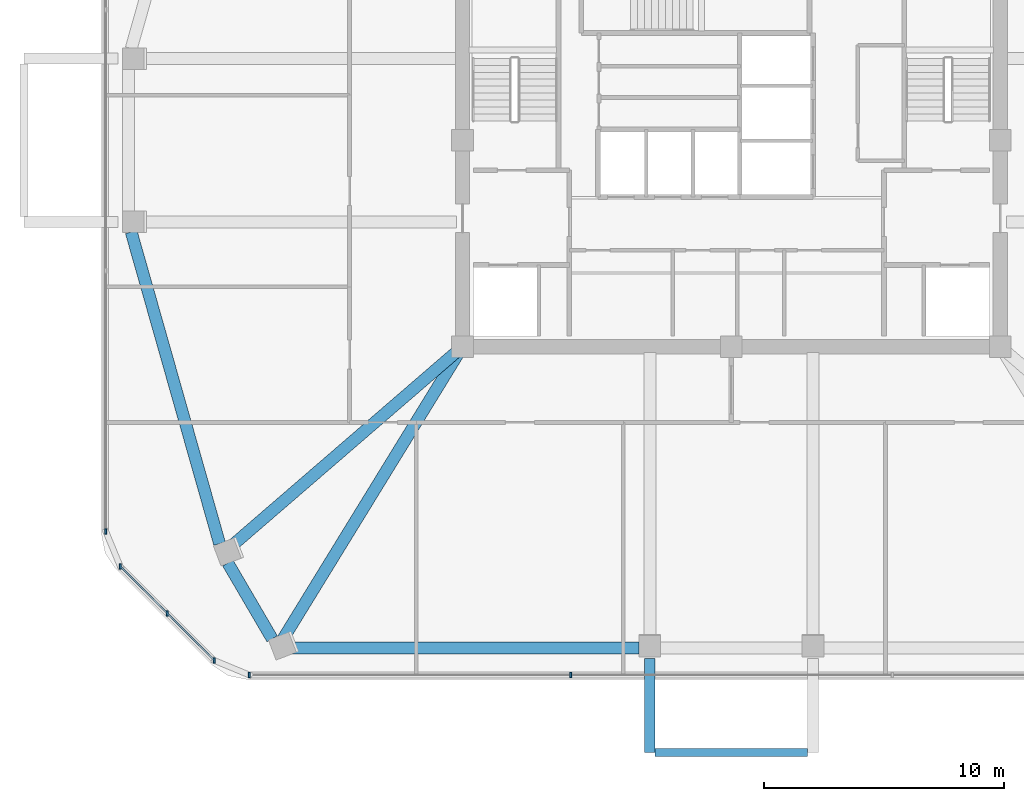
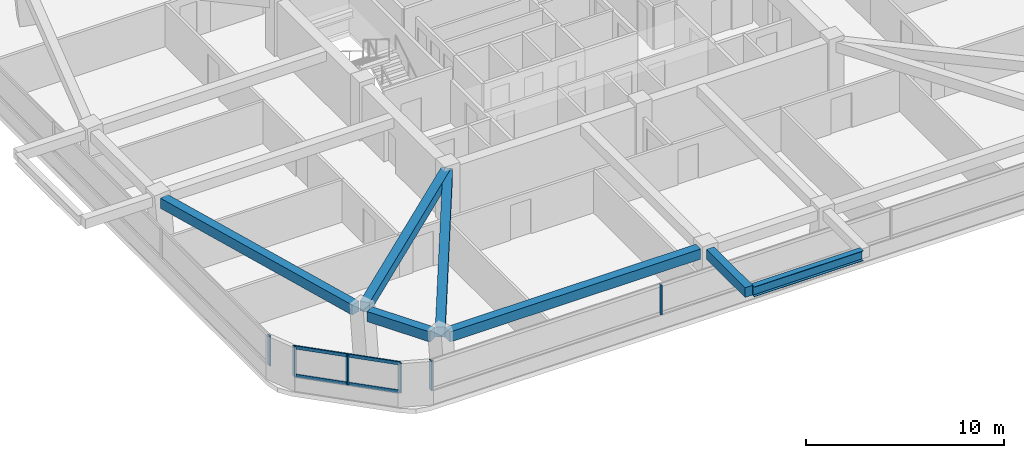
# One storey, part 2 of 14: 8 members, 7 beams, 3 elements without a shape of their own.
"""IFC4 building model written with IfcOpenShell, lengths in metres."""

from ifc_helpers import new_model, si_unit, derived_unit, direction, frame, origin, origin_2d, place, context, subcontext, project, spatial, rectangle, i_section, extrude, material, material_profile, profile_set, type_object, element, aggregate, save


model = new_model("IFC4")

# Units and contexts
model_context = context("Model", 3, precision=1e-05, world=origin(), true_north=direction((0.0, 1.0)))
body_context = subcontext(model_context, "Body", "Model", "MODEL_VIEW")
ifc_project = project(units=[si_unit("LENGTHUNIT", "METRE"), si_unit("AREAUNIT", "SQUARE_METRE"), si_unit("VOLUMEUNIT", "CUBIC_METRE"), si_unit("PLANEANGLEUNIT", "RADIAN"), si_unit("MASSUNIT", "GRAM", prefix="KILO"), derived_unit("THERMALTRANSMITTANCEUNIT", [(si_unit("POWERUNIT", "WATT"), 1), (si_unit("LENGTHUNIT", "METRE"), -2), (si_unit("THERMODYNAMICTEMPERATUREUNIT", "KELVIN"), -1)])], contexts=[model_context])

# Site, building, storey
site_placement = place(None, origin())
site = spatial("IfcSite", under=ifc_project, at=site_placement, CompositionType="ELEMENT")
building_placement = place(site_placement, origin())
building = spatial("IfcBuilding", under=site, at=building_placement, Name="Koralith Skygarden Medical Center", CompositionType="ELEMENT")
storey_placement = place(building_placement, frame((0.0, 0.0, 210.780029296875)))
storey = spatial("IfcBuildingStorey", under=building, at=storey_placement, Name="L54", CompositionType="ELEMENT", Elevation=210.780029296875)

# Curtain wall, members
ifc_material_1 = material(Name="Clear Laminated Glass", Category="glass")
curtain_wall_type = type_object("IfcCurtainWallType", Name="CW-5 Zone 4 Flare Biophilic Curtain Wall", PredefinedType="NOTDEFINED", material=ifc_material_1)
curtain_wall_1_placement = place(storey_placement, origin())
curtain_wall_1 = element("IfcCurtainWall", 1, at=curtain_wall_1_placement, inside=storey, type_object=curtain_wall_type, Name="Curtain Wall CW-L54-S", PredefinedType="NOTDEFINED")
ifc_material_2 = material(Name="Aluminium 6063-T6", Category="aluminium")
ifc_material_profile_1 = material_profile(ifc_material_2, rectangle(XDim=0.080078125, YDim=0.219970703125, at=origin_2d()), Name="MUL80X220")
ifc_profile_set_1 = profile_set([ifc_material_profile_1], Name="Aluminium 6063-T6")
member_type_1 = type_object("IfcMemberType", Name="CW-5 Extruded Mullion 80x220", PredefinedType="MULLION", material=ifc_profile_set_1)
member_1_placement = place(storey_placement, frame((16.919921875, 3.626953125, 0.849853515625), z_axis=(0.0, 0.0, 1.0), x_axis=(1.0, 0.0, 0.0)))
member_1 = element("IfcMember", 2, at=member_1_placement, type_object=member_type_1, Name="CW-L54-S Mullion 1", PredefinedType="MULLION", context=body_context, shape_type="SweptSolid", body=[
    extrude(rectangle(XDim=0.080078125, YDim=0.219970703125, at=origin_2d()), origin(), (0.0, 0.0, 1.0), 1.840087890625),
])
member_2_placement = place(storey_placement, frame((30.306884765625, 3.626953125, 0.849853515625), z_axis=(0.0, 0.0, 1.0), x_axis=(1.0, 0.0, 0.0)))
member_2 = element("IfcMember", 3, at=member_2_placement, type_object=member_type_1, Name="CW-L54-S Mullion 2", PredefinedType="MULLION", context=body_context, shape_type="SweptSolid", body=[
    extrude(rectangle(XDim=0.080078125, YDim=0.219970703125, at=origin_2d()), origin(), (0.0, 0.0, 1.0), 1.840087890625),
])
aggregate(curtain_wall_1, [member_1, member_2])

# Curtain wall, member
curtain_wall_2_placement = place(storey_placement, origin())
curtain_wall_2 = element("IfcCurtainWall", 4, at=curtain_wall_2_placement, inside=storey, type_object=curtain_wall_type, Name="Curtain Wall CW-L54-W", PredefinedType="NOTDEFINED")
member_3_placement = place(storey_placement, frame((10.945068359375, 9.60205078125, 0.849853515625), z_axis=(0.0, 0.0, 1.0), x_axis=(1.0, 0.0, 0.0)))
member_3 = element("IfcMember", 5, at=member_3_placement, type_object=member_type_1, Name="CW-L54-W Mullion 4", PredefinedType="MULLION", context=body_context, shape_type="SweptSolid", body=[
    extrude(rectangle(XDim=0.080078125, YDim=0.219970703125, at=origin_2d()), origin(), (0.0, 0.0, 1.0), 1.840087890625),
])
aggregate(curtain_wall_2, [member_3])

# Curtain wall, members
curtain_wall_3_placement = place(storey_placement, origin())
curtain_wall_3 = element("IfcCurtainWall", 6, at=curtain_wall_3_placement, inside=storey, type_object=curtain_wall_type, Name="Curtain Wall CW-L54-SW", PredefinedType="NOTDEFINED")
member_4_placement = place(storey_placement, frame((11.5458984375, 8.15087890625, 0.849853515625), z_axis=(0.0, 0.0, 1.0), x_axis=(1.0, 0.0, 0.0)))
member_4 = element("IfcMember", 7, at=member_4_placement, type_object=member_type_1, Name="CW-L54-SW Mullion 1", PredefinedType="MULLION", context=body_context, shape_type="SweptSolid", body=[
    extrude(rectangle(XDim=0.080078125, YDim=0.219970703125, at=origin_2d()), origin(), (0.0, 0.0, 1.0), 1.840087890625),
])
member_5_placement = place(storey_placement, frame((13.508056640625, 6.18896484375, 0.849853515625), z_axis=(0.0, 0.0, 1.0), x_axis=(1.0, 0.0, 0.0)))
member_5 = element("IfcMember", 8, at=member_5_placement, type_object=member_type_1, Name="CW-L54-SW Mullion 2", PredefinedType="MULLION", context=body_context, shape_type="SweptSolid", body=[
    extrude(rectangle(XDim=0.080078125, YDim=0.219970703125, at=origin_2d()), origin(), (0.0, 0.0, 1.0), 1.840087890625),
])
member_6_placement = place(storey_placement, frame((15.468994140625, 4.22802734375, 0.849853515625), z_axis=(0.0, 0.0, 1.0), x_axis=(1.0, 0.0, 0.0)))
member_6 = element("IfcMember", 9, at=member_6_placement, type_object=member_type_1, Name="CW-L54-SW Mullion 3", PredefinedType="MULLION", context=body_context, shape_type="SweptSolid", body=[
    extrude(rectangle(XDim=0.080078125, YDim=0.219970703125, at=origin_2d()), origin(), (0.0, 0.0, 1.0), 1.840087890625),
])
ifc_material_profile_2 = material_profile(ifc_material_2, rectangle(XDim=0.074951171875, YDim=0.197998046875, at=origin_2d()), Name="TRN75X198")
ifc_profile_set_2 = profile_set([ifc_material_profile_2], Name="Aluminium 6063-T6")
member_type_2 = type_object("IfcMemberType", Name="CW-5 Thermal Transom 75x198", PredefinedType="USERDEFINED", material=ifc_profile_set_2)
member_7_placement = place(storey_placement, frame((11.5458984375, 8.15087890625, 0.89990234375), z_axis=(0.707128783731, -0.707084777957, 0.0), x_axis=(0.707084777957, 0.707128783731, 0.0)))
member_7 = element("IfcMember", 10, at=member_7_placement, type_object=member_type_2, Name="CW-L54-SW Transom 1", ObjectType="TRANSOM", PredefinedType="USERDEFINED", context=body_context, shape_type="SweptSolid", body=[
    extrude(rectangle(XDim=0.074951171875, YDim=0.197998046875, at=origin_2d()), origin(), (0.0, 0.0, 1.0), 5.5478515625),
])
member_8_placement = place(storey_placement, frame((11.5458984375, 8.15087890625, 2.639892578125), z_axis=(0.707128783731, -0.707084777957, 0.0), x_axis=(0.707084777957, 0.707128783731, 0.0)))
member_8 = element("IfcMember", 11, at=member_8_placement, type_object=member_type_2, Name="CW-L54-SW Transom 2", ObjectType="TRANSOM", PredefinedType="USERDEFINED", context=body_context, shape_type="SweptSolid", body=[
    extrude(rectangle(XDim=0.074951171875, YDim=0.197998046875, at=origin_2d()), origin(), (0.0, 0.0, 1.0), 5.5478515625),
])
aggregate(curtain_wall_3, [member_4, member_5, member_6, member_7, member_8])

# Beams
ifc_material_3 = material(Name="Steel ASTM A992 Grade 50", Category="steel")
ifc_material_profile_3 = material_profile(ifc_material_3, i_section(OverallWidth=0.326904296875, OverallDepth=0.6220703125, WebThickness=0.015380859375, FlangeThickness=0.0244140625, at=origin_2d()), Name="W24X131")
ifc_profile_set_3 = profile_set([ifc_material_profile_3], Name="Steel ASTM A992 Grade 50")
beam_type_1 = type_object("IfcBeamType", Name="Cantilever Tie Beam W24X131", PredefinedType="BEAM", material=ifc_profile_set_3)
beam_1_placement = place(storey_placement, frame((33.820068359375, 0.402099609375, 3.029052734375), z_axis=(1.0, 0.0, 0.0), x_axis=(0.0, 1.0, 0.0)))
element("IfcBeam", 12, at=beam_1_placement, inside=storey, type_object=beam_type_1, Name="L55 S Balcony Tip Tie Beam", PredefinedType="BEAM", context=body_context, shape_type="SweptSolid", body=[
    extrude(i_section(OverallWidth=0.326904296875, OverallDepth=0.6220703125, WebThickness=0.015380859375, FlangeThickness=0.0244140625, at=origin_2d()), origin(), (0.0, 0.0, 1.0), 6.35986328125),
])
ifc_material_4 = material(Name="Concrete C45/55", Category="concrete")
ifc_material_profile_4 = material_profile(ifc_material_4, rectangle(XDim=0.449951171875, YDim=0.60009765625, at=origin_2d()), Name="RCB450X600")
ifc_profile_set_4 = profile_set([ifc_material_profile_4], Name="Concrete C45/55")
beam_type_2 = type_object("IfcBeamType", Name="Planted Balcony Cantilever Beam RCB450X600", PredefinedType="BEAM", material=ifc_profile_set_4)
beam_2_placement = place(storey_placement, frame((33.60009765625, 4.322021484375, 3.0400390625), z_axis=(0.0, -1.0, 0.0), x_axis=(1.0, 0.0, 0.0)))
element("IfcBeam", 13, at=beam_2_placement, inside=storey, type_object=beam_type_2, Name="L55 S Balcony Cantilever Beam A", PredefinedType="BEAM", context=body_context, shape_type="SweptSolid", body=[
    extrude(rectangle(XDim=0.449951171875, YDim=0.60009765625, at=origin_2d()), origin(), (0.0, 0.0, 1.0), 3.919921875),
])
ifc_material_profile_5 = material_profile(ifc_material_4, rectangle(XDim=0.5, YDim=0.6201171875, at=origin_2d()), Name="RCB500X620")
ifc_profile_set_5 = profile_set([ifc_material_profile_5], Name="Concrete C45/55")
beam_type_3 = type_object("IfcBeamType", Name="Upper Radial Collector Beam RCB500X620", PredefinedType="BEAM", material=ifc_profile_set_5)
beam_3_placement = place(storey_placement, frame((25.611083984375, 17.136962890625, 3.010009765625), z_axis=(-0.757022971029, -0.653388262318, 0.0), x_axis=(0.653388262318, -0.757022971029, 0.0)))
element("IfcBeam", 14, at=beam_3_placement, inside=storey, type_object=beam_type_3, Name="L54 Radial Collector Beam RB-02", PredefinedType="BEAM", context=body_context, shape_type="SweptSolid", body=[
    extrude(rectangle(XDim=0.5, YDim=0.6201171875, at=origin_2d()), origin(), (0.0, 0.0, 1.0), 12.516357421875),
])
beam_4_placement = place(storey_placement, frame((25.6689453125, 17.0869140625, 3.010009765625), z_axis=(-0.523271233337, -0.852166190576, 0.0), x_axis=(0.852166190576, -0.523271233337, 0.0)))
element("IfcBeam", 15, at=beam_4_placement, inside=storey, type_object=beam_type_3, Name="L54 Radial Collector Beam RB-03", PredefinedType="BEAM", context=body_context, shape_type="SweptSolid", body=[
    extrude(rectangle(XDim=0.5, YDim=0.6201171875, at=origin_2d()), origin(), (0.0, 0.0, 1.0), 14.03466796875),
])
ifc_material_profile_6 = material_profile(ifc_material_4, rectangle(XDim=0.5, YDim=0.6201171875, at=origin_2d()), Name="RCB500X620")
ifc_profile_set_6 = profile_set([ifc_material_profile_6], Name="Concrete C45/55")
beam_type_4 = type_object("IfcBeamType", Name="Zone 4-5 Spandrel Beam RCB500X620", PredefinedType="SPANDREL", material=ifc_profile_set_6)
beam_5_placement = place(storey_placement, frame((12.0029296875, 22.076904296875, 3.010009765625), z_axis=(0.272737117429, -0.962088595077, 0.0), x_axis=(0.962088595077, 0.272737117429, 0.0)))
element("IfcBeam", 16, at=beam_5_placement, inside=storey, type_object=beam_type_4, Name="L54 Perimeter Spandrel Beam SP-01", PredefinedType="SPANDREL", context=body_context, shape_type="SweptSolid", body=[
    extrude(rectangle(XDim=0.5, YDim=0.6201171875, at=origin_2d()), origin(), (0.0, 0.0, 1.0), 13.493408203125),
])
beam_6_placement = place(storey_placement, frame((16.02490234375, 8.2919921875, 3.010009765625), z_axis=(0.504861750403, -0.863200216045, 0.0), x_axis=(0.863200216045, 0.504861750403, 0.0)))
element("IfcBeam", 17, at=beam_6_placement, inside=storey, type_object=beam_type_4, Name="L54 Perimeter Spandrel Beam SP-02", PredefinedType="SPANDREL", context=body_context, shape_type="SweptSolid", body=[
    extrude(rectangle(XDim=0.5, YDim=0.6201171875, at=origin_2d()), origin(), (0.0, 0.0, 1.0), 3.66064453125),
])
beam_7_placement = place(storey_placement, frame((18.534912109375, 4.751953125, 3.010009765625), z_axis=(1.0, 0.0, 0.0), x_axis=(0.0, 1.0, 0.0)))
element("IfcBeam", 18, at=beam_7_placement, inside=storey, type_object=beam_type_4, Name="L54 Perimeter Spandrel Beam SP-03", PredefinedType="SPANDREL", context=body_context, shape_type="SweptSolid", body=[
    extrude(rectangle(XDim=0.5, YDim=0.6201171875, at=origin_2d()), origin(), (0.0, 0.0, 1.0), 14.625),
])

save(model, "model.ifc")
